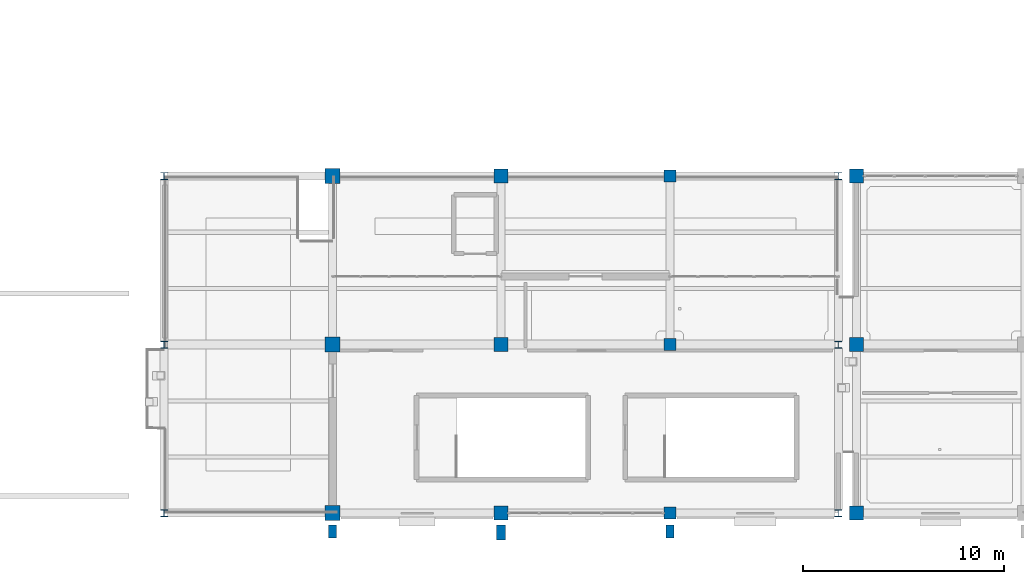
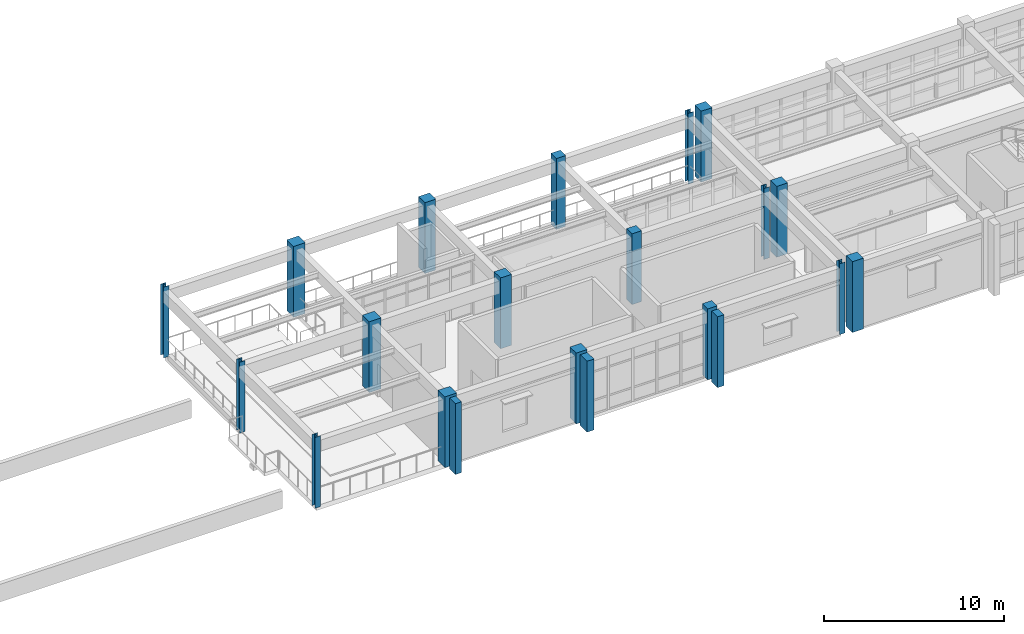
# One storey, part 2 of 98: 21 columns.
"""IFC4 building model written with IfcOpenShell, lengths in metres."""

import ifcopenshell
import ifcopenshell.guid

model = None  # the IFC model being written
_history = None  # IfcOwnerHistory: only IFC2X3 demands one
_inside = {}  # id of a spatial element -> (the spatial element, [elements in it])
_under = {}  # id of a project, library or spatial element -> (it, [spatial elements below it])
_declared = {}  # id of a project -> (the project, [libraries it declares])
_typed = {}  # id of a type object -> (the type object, [elements of that type])
_made_of = {}  # id of a material, layer set ... -> (it, [elements and type objects made of it])


def new_model(schema):
    """Start an empty IFC model of exactly this schema.

    Asked for "IFC4X3", IfcOpenShell would pick the latest addendum, in which some entities
    have other attributes; the version numbers below select the first issue.
    IFC2X3 requires an IfcOwnerHistory on every rooted entity: one is made here for all.
    """
    global model, _history
    if schema == "IFC4X3":
        model = ifcopenshell.file(schema_version=(4, 3, 0, 0))
    else:
        model = ifcopenshell.file(schema=schema)
    _inside.clear()
    _under.clear()
    _declared.clear()
    _typed.clear()
    _made_of.clear()
    _history = None
    if model.schema == "IFC2X3":
        org = make("IfcOrganization", Name="unknown")
        user = make(
            "IfcPersonAndOrganization",
            ThePerson=make("IfcPerson", FamilyName="unknown"),
            TheOrganization=org,
        )
        app = make(
            "IfcApplication",
            ApplicationDeveloper=org,
            Version="unknown",
            ApplicationFullName="unknown",
            ApplicationIdentifier="unknown",
        )
        _history = make(
            "IfcOwnerHistory",
            OwningUser=user,
            OwningApplication=app,
            ChangeAction="ADDED",
            CreationDate=0,
        )
    return model


def make(cls, **values):
    """One entity of the class cls with the attributes given. An attribute that is None is left unset."""
    return model.create_entity(
        cls, **{name: value for name, value in values.items() if value is not None}
    )


def rooted(cls, **values):
    """An entity with a GlobalId (a new one), such as an element, a storey or a relation."""
    return make(cls, GlobalId=ifcopenshell.guid.new(), OwnerHistory=_history, **values)


def si_unit(unit_type, name, prefix=None):
    """IfcSIUnit, for example si_unit("LENGTHUNIT", "METRE", prefix="MILLI")."""
    return make("IfcSIUnit", UnitType=unit_type, Prefix=prefix, Name=name)


def assignment(units):
    """IfcUnitAssignment: the units of a project."""
    return None if units is None else make("IfcUnitAssignment", Units=units)


def point(xyz):
    """IfcCartesianPoint."""
    return None if xyz is None else make("IfcCartesianPoint", Coordinates=xyz)


def direction(xyz):
    """IfcDirection."""
    return None if xyz is None else make("IfcDirection", DirectionRatios=xyz)


def frame(location, z_axis=None, x_axis=None):
    """IfcAxis2Placement3D, a coordinate frame: its origin and axes. An axis left out is left unset."""
    return make(
        "IfcAxis2Placement3D",
        Location=point(location),
        Axis=direction(z_axis),
        RefDirection=direction(x_axis),
    )


def frame_2d(location, x_axis=None):
    """IfcAxis2Placement2D, a coordinate frame in the plane: its origin and x axis."""
    return make(
        "IfcAxis2Placement2D", Location=point(location), RefDirection=direction(x_axis)
    )


def origin():
    """The frame at (0, 0, 0) with its axes left unset."""
    return frame((0.0, 0.0, 0.0))


def origin_2d():
    """The frame at (0, 0) in the plane with its x axis left unset."""
    return frame_2d((0.0, 0.0))


def place(relative_to, where):
    """IfcLocalPlacement: puts the frame where relative to a parent placement (None: the world)."""
    return make(
        "IfcLocalPlacement", PlacementRelTo=relative_to, RelativePlacement=where
    )


def context(
    kind, dimensions, precision=None, world=None, true_north=None, identifier=None
):
    """IfcGeometricRepresentationContext, for example the 3D "Model" context."""
    return make(
        "IfcGeometricRepresentationContext",
        ContextIdentifier=identifier,
        ContextType=kind,
        CoordinateSpaceDimension=dimensions,
        Precision=precision,
        WorldCoordinateSystem=world,
        TrueNorth=true_north,
    )


def subcontext(parent, identifier, kind, view, scale=None):
    """IfcGeometricRepresentationSubContext, for example "Body" below "Model"."""
    return make(
        "IfcGeometricRepresentationSubContext",
        ContextIdentifier=identifier,
        ContextType=kind,
        ParentContext=parent,
        TargetScale=scale,
        TargetView=view,
    )


def project(units=None, contexts=None):
    """IfcProject with its units and contexts."""
    return rooted(
        "IfcProject",
        Name="project",
        RepresentationContexts=contexts,
        UnitsInContext=assignment(units),
    )


def spatial(cls, under=None, at=None, **own):
    """A site, building, storey or space (cls), placed at a placement, below another one or the project."""
    s = rooted(cls, ObjectPlacement=at, **own)
    if under is not None:
        _under.setdefault(under.id(), (under, []))[1].append(s)
    return s


def profile(cls, at=None, kind="AREA", **sizes):
    """A parametric profile (cls). Its sizes go by their IFC names, for example OverallWidth=200.0."""
    return make(cls, ProfileType=kind, Position=at, **sizes)


def rectangle(**sizes):
    """IfcRectangleProfileDef."""
    return profile("IfcRectangleProfileDef", **sizes)


def i_section(**sizes):
    """IfcIShapeProfileDef."""
    return profile("IfcIShapeProfileDef", **sizes)


def extrude(swept, where, along, depth):
    """IfcExtrudedAreaSolid: the profile swept, set in the frame where, extruded along a direction by depth."""
    return make(
        "IfcExtrudedAreaSolid",
        SweptArea=swept,
        Position=where,
        ExtrudedDirection=direction(along),
        Depth=depth,
    )


def shape(context_of_items, identifier, shape_type, items):
    """IfcShapeRepresentation: the items that make up one representation, for example the "Body"."""
    return make(
        "IfcShapeRepresentation",
        ContextOfItems=context_of_items,
        RepresentationIdentifier=identifier,
        RepresentationType=shape_type,
        Items=items,
    )


def material(Name=None, Category=None):
    """IfcMaterial."""
    return make("IfcMaterial", Name=Name, Category=Category)


def material_profile(
    of_material, cross_section, Name=None, Category=None, Priority=None
):
    """IfcMaterialProfile: a cross section and its material."""
    return make(
        "IfcMaterialProfile",
        Name=Name,
        Material=of_material,
        Profile=cross_section,
        Priority=Priority,
        Category=Category,
    )


def profile_set(profiles, Name=None, composite=None):
    """IfcMaterialProfileSet."""
    return make(
        "IfcMaterialProfileSet",
        Name=Name,
        MaterialProfiles=profiles,
        CompositeProfile=composite,
    )


def made_of(thing, what):
    """Note that an element or type object is made of a material, layer set ...; save() writes the relation."""
    if what is not None:
        _made_of.setdefault(what.id(), (what, []))[1].append(thing)
    return thing


def type_object(cls, material=None, **own):
    """A type object (cls), such as IfcWallType, which elements share."""
    return made_of(rooted(cls, **own), material)


def element(
    cls,
    number,
    at=None,
    inside=None,
    cuts=None,
    type_object=None,
    material=None,
    context=None,
    identifier="Body",
    shape_type=None,
    held_by="IfcProductDefinitionShape",
    body=None,
    shapes=None,
    **own,
):
    """One element of the class cls, such as IfcWall. Its Tag is "e" and its number.

    at: its placement. inside: the storey or other place that contains it. cuts: it is an
    opening in that element (IfcRelVoidsElement). A single representation is given by context,
    identifier, shape_type and body (its items); several are given by shapes. held_by: the class
    of the entity that holds the representations. save() writes the other relations.
    """
    e = rooted(cls, Tag="e%d" % number, ObjectPlacement=at, **own)
    if body is not None:
        shapes = [shape(context, identifier, shape_type, body)]
    if shapes is not None:
        e.Representation = make(held_by, Representations=shapes)
    if inside is not None:
        _inside.setdefault(inside.id(), (inside, []))[1].append(e)
    if cuts is not None:
        rooted(
            "IfcRelVoidsElement", RelatingBuildingElement=cuts, RelatedOpeningElement=e
        )
    if type_object is not None:
        _typed.setdefault(type_object.id(), (type_object, []))[1].append(e)
    return made_of(e, material)


def aggregate(whole, parts):
    """IfcRelAggregates: a whole, such as a stair, and the parts it consists of."""
    return rooted("IfcRelAggregates", RelatingObject=whole, RelatedObjects=parts)


def save(model, path):
    """Write the relations noted so far, then the file.

    IfcRelAggregates (storeys below a building ...), IfcRelContainedInSpatialStructure (elements
    in a storey), IfcRelDefinesByType, IfcRelAssociatesMaterial and IfcRelDeclares: one each for
    every whole, place, type object, material and project.
    """
    for whole, parts in _under.values():
        aggregate(whole, parts)
    for where, things in _inside.values():
        rooted(
            "IfcRelContainedInSpatialStructure",
            RelatedElements=things,
            RelatingStructure=where,
        )
    for kind, things in _typed.values():
        rooted("IfcRelDefinesByType", RelatedObjects=things, RelatingType=kind)
    for what, things in _made_of.values():
        rooted("IfcRelAssociatesMaterial", RelatedObjects=things, RelatingMaterial=what)
    for by, libraries in _declared.values():
        rooted("IfcRelDeclares", RelatingContext=by, RelatedDefinitions=libraries)
    model.write(path)


model = new_model("IFC4")

# Units and contexts
model_context = context("Model", 3, precision=1e-05, world=origin(), true_north=direction((0.0, 1.0)))
body_context = subcontext(model_context, "Body", "Model", "MODEL_VIEW")
ifc_project = project(units=[si_unit("LENGTHUNIT", "METRE"), si_unit("AREAUNIT", "SQUARE_METRE"), si_unit("VOLUMEUNIT", "CUBIC_METRE"), si_unit("PLANEANGLEUNIT", "RADIAN"), si_unit("MASSUNIT", "GRAM", prefix="KILO")], contexts=[model_context])

# Site, building, storey
site_placement = place(None, origin())
site = spatial("IfcSite", under=ifc_project, at=site_placement, CompositionType="ELEMENT")
building_placement = place(site_placement, origin())
building = spatial("IfcBuilding", under=site, at=building_placement, Name="Canglan Escarpment Cableway Terminal", CompositionType="ELEMENT")
storey_placement = place(building_placement, frame((0.0, 0.0, 9.60009765625)))
storey = spatial("IfcBuildingStorey", under=building, at=storey_placement, Name="L02", CompositionType="ELEMENT", Elevation=9.60009765625)

# Columns
ifc_material_1 = material(Name="Steel Q355C", Category="steel")
ifc_material_profile_1 = material_profile(ifc_material_1, i_section(OverallWidth=0.35009765625, OverallDepth=0.35009765625, WebThickness=0.011962890625, FlangeThickness=0.01904296875, FilletRadius=0.02001953125, at=origin_2d()), Name="HW 350x350x12x19")
ifc_profile_set_1 = profile_set([ifc_material_profile_1], Name="Steel Q355C")
column_type_1 = type_object("IfcColumnType", Name="COL-HW350-Q355C", PredefinedType="COLUMN", material=ifc_profile_set_1)
for number, where, z_axis, x_axis, name in (
    (1, (42.5, 8.0, 0.0), (0.0, 0.0, 1.0), (1.0, 0.0, 0.0), "Structural column C-09"),
    (2, (42.5, 16.39990234375, 0.0), (0.0, 0.0, 1.0), (1.0, 0.0, 0.0), "Structural column C-09"),
    (3, (42.5, 24.800048828125, 0.0), (0.0, 0.0, 1.0), (1.0, 0.0, 0.0), "Structural column C-09"),
    (4, (76.10009765625, 8.0, 0.0), (0.0, 0.0, 1.0), (1.0, 0.0, 0.0), "Structural column C-09"),
    (5, (76.10009765625, 16.39990234375, 0.0), (0.0, 0.0, 1.0), (1.0, 0.0, 0.0), "Structural column C-09"),
    (6, (76.10009765625, 24.800048828125, 0.0), (0.0, 0.0, 1.0), (1.0, 0.0, 0.0), "Structural column C-09"),
):
    element("IfcColumn", number, at=place(storey_placement, frame(where, z_axis=z_axis, x_axis=x_axis)), inside=storey, type_object=column_type_1, Name=name, PredefinedType="COLUMN", context=body_context, shape_type="SweptSolid", body=[
        extrude(i_section(OverallWidth=0.35009765625, OverallDepth=0.35009765625, WebThickness=0.011962890625, FlangeThickness=0.01904296875, FilletRadius=0.02001953125, at=origin_2d()), origin(), (0.0, 0.0, 1.0), 4.7998046875),
    ])
ifc_material_2 = material(Name="Concrete C40", Category="concrete")
ifc_material_profile_2 = material_profile(ifc_material_2, rectangle(XDim=0.60009765625, YDim=0.60009765625, at=origin_2d()), Name="RC 600x600")
ifc_profile_set_2 = profile_set([ifc_material_profile_2], Name="Concrete C40")
column_type_2 = type_object("IfcColumnType", Name="COL-RC600-C40", PredefinedType="COLUMN", material=ifc_profile_set_2)
for number, where, z_axis, x_axis, name in (
    (7, (67.699951171875, 8.0, 0.0), (0.0, 0.0, 1.0), (1.0, 0.0, 0.0), "Structural column C-05"),
    (8, (67.699951171875, 16.39990234375, 0.0), (0.0, 0.0, 1.0), (1.0, 0.0, 0.0), "Structural column C-05"),
    (9, (67.699951171875, 24.800048828125, 0.0), (0.0, 0.0, 1.0), (1.0, 0.0, 0.0), "Structural column C-05"),
):
    element("IfcColumn", number, at=place(storey_placement, frame(where, z_axis=z_axis, x_axis=x_axis)), inside=storey, type_object=column_type_2, Name=name, PredefinedType="COLUMN", context=body_context, shape_type="SweptSolid", body=[
        extrude(rectangle(XDim=0.60009765625, YDim=0.60009765625, at=origin_2d()), origin(), (0.0, 0.0, 1.0), 4.7998046875),
    ])
ifc_material_profile_3 = material_profile(ifc_material_2, rectangle(XDim=0.699951171875, YDim=0.699951171875, at=origin_2d()), Name="RC 700x700")
ifc_profile_set_3 = profile_set([ifc_material_profile_3], Name="Concrete C40")
column_type_3 = type_object("IfcColumnType", Name="COL-RC700-C40", PredefinedType="COLUMN", material=ifc_profile_set_3)
for number, where, z_axis, x_axis, name in (
    (10, (59.300048828125, 8.0, 0.0), (0.0, 0.0, 1.0), (1.0, 0.0, 0.0), "Structural column C-04"),
    (11, (59.300048828125, 16.39990234375, 0.0), (0.0, 0.0, 1.0), (1.0, 0.0, 0.0), "Structural column C-04"),
    (12, (59.300048828125, 24.800048828125, 0.0), (0.0, 0.0, 1.0), (1.0, 0.0, 0.0), "Structural column C-04"),
    (13, (77.0, 8.0, 0.0), (0.0, 0.0, 1.0), (1.0, 0.0, 0.0), "Structural column C-04"),
    (14, (77.0, 16.39990234375, 0.0), (0.0, 0.0, 1.0), (1.0, 0.0, 0.0), "Structural column C-04"),
    (15, (77.0, 24.800048828125, 0.0), (0.0, 0.0, 1.0), (1.0, 0.0, 0.0), "Structural column C-04"),
):
    element("IfcColumn", number, at=place(storey_placement, frame(where, z_axis=z_axis, x_axis=x_axis)), inside=storey, type_object=column_type_3, Name=name, PredefinedType="COLUMN", context=body_context, shape_type="SweptSolid", body=[
        extrude(rectangle(XDim=0.699951171875, YDim=0.699951171875, at=origin_2d()), origin(), (0.0, 0.0, 1.0), 4.7998046875),
    ])
ifc_material_profile_4 = material_profile(ifc_material_2, rectangle(XDim=0.75, YDim=0.75, at=origin_2d()), Name="RC 750x750")
ifc_profile_set_4 = profile_set([ifc_material_profile_4], Name="Concrete C40")
column_type_4 = type_object("IfcColumnType", Name="COL-RC750-C40", PredefinedType="COLUMN", material=ifc_profile_set_4)
for number, where, z_axis, x_axis, name in (
    (16, (50.89990234375, 8.0, 0.0), (0.0, 0.0, 1.0), (1.0, 0.0, 0.0), "Structural column C-03"),
    (17, (50.89990234375, 16.39990234375, 0.0), (0.0, 0.0, 1.0), (1.0, 0.0, 0.0), "Structural column C-03"),
    (18, (50.89990234375, 24.800048828125, 0.0), (0.0, 0.0, 1.0), (1.0, 0.0, 0.0), "Structural column C-03"),
):
    element("IfcColumn", number, at=place(storey_placement, frame(where, z_axis=z_axis, x_axis=x_axis)), inside=storey, type_object=column_type_4, Name=name, PredefinedType="COLUMN", context=body_context, shape_type="SweptSolid", body=[
        extrude(rectangle(XDim=0.75, YDim=0.75, at=origin_2d()), origin(), (0.0, 0.0, 1.0), 4.7998046875),
    ])
ifc_material_profile_5 = material_profile(ifc_material_2, rectangle(XDim=0.39990234375, YDim=0.64990234375, at=origin_2d()), Name="RC-PIL 400x650")
ifc_profile_set_5 = profile_set([ifc_material_profile_5], Name="Concrete C40")
column_type_5 = type_object("IfcColumnType", Name="PIL-RC400x650", PredefinedType="PILASTER", material=ifc_profile_set_5)
for number, where, z_axis, x_axis, name in (
    (19, (50.89990234375, 7.094970703125, 0.0), (0.0, 0.0, 1.0), (1.0, 0.0, 0.0), "Neoclassical engaged pilaster PL-02"),
    (20, (67.699951171875, 7.094970703125, 0.0), (0.0, 0.0, 1.0), (1.0, 0.0, 0.0), "Neoclassical engaged pilaster PL-02"),
):
    element("IfcColumn", number, at=place(storey_placement, frame(where, z_axis=z_axis, x_axis=x_axis)), inside=storey, type_object=column_type_5, Name=name, PredefinedType="PILASTER", context=body_context, shape_type="SweptSolid", body=[
        extrude(rectangle(XDim=0.39990234375, YDim=0.64990234375, at=origin_2d()), origin(), (0.0, 0.0, 1.0), 4.7998046875),
    ])
ifc_material_profile_6 = material_profile(ifc_material_2, rectangle(XDim=0.449951171875, YDim=0.75, at=origin_2d()), Name="RC-PIL 450x750")
ifc_profile_set_6 = profile_set([ifc_material_profile_6], Name="Concrete C40")
column_type_6 = type_object("IfcColumnType", Name="PIL-RC450x750", PredefinedType="PILASTER", material=ifc_profile_set_6)
column_placement = place(storey_placement, frame((59.300048828125, 7.044921875, 0.0), z_axis=(0.0, 0.0, 1.0), x_axis=(1.0, 0.0, 0.0)))
element("IfcColumn", 21, at=column_placement, inside=storey, type_object=column_type_6, Name="Neoclassical engaged pilaster PL-01", PredefinedType="PILASTER", context=body_context, shape_type="SweptSolid", body=[
    extrude(rectangle(XDim=0.449951171875, YDim=0.75, at=origin_2d()), origin(), (0.0, 0.0, 1.0), 4.7998046875),
])

save(model, "model.ifc")
